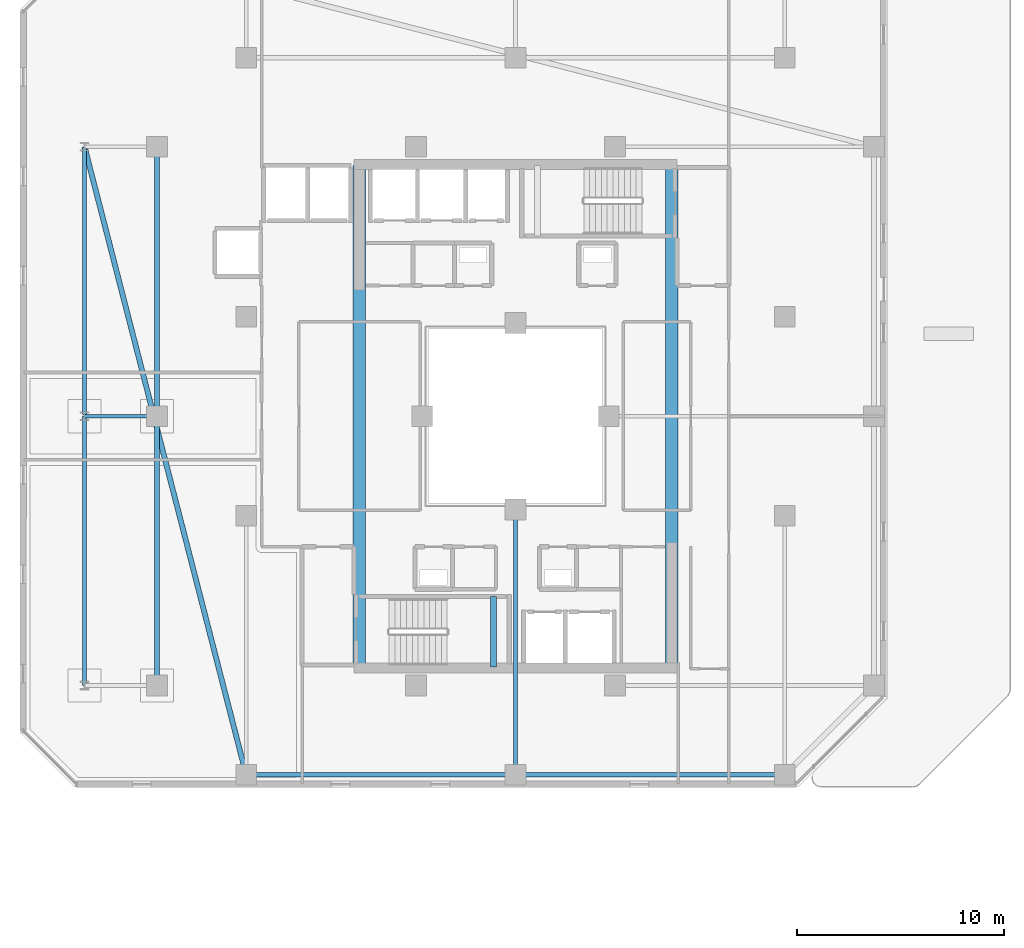
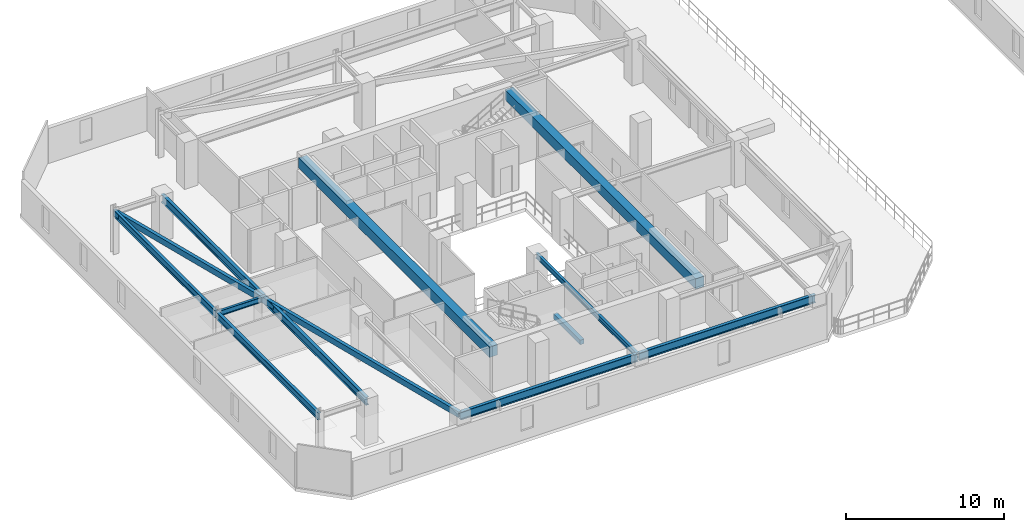
# One storey, part 4 of 32: 12 beams.
"""IFC4 building model written with IfcOpenShell, lengths in metres."""

from ifc_helpers import new_model, si_unit, direction, frame, origin, origin_2d, place, context, subcontext, project, spatial, rectangle, hollow_rectangle, i_section, extrude, material, material_profile, profile_set, type_object, element, save


model = new_model("IFC4")

# Units and contexts
model_context = context("Model", 3, precision=1e-05, world=origin(), true_north=direction((0.0, 1.0)))
body_context = subcontext(model_context, "Body", "Model", "MODEL_VIEW")
ifc_project = project(units=[si_unit("LENGTHUNIT", "METRE"), si_unit("AREAUNIT", "SQUARE_METRE"), si_unit("VOLUMEUNIT", "CUBIC_METRE"), si_unit("PLANEANGLEUNIT", "RADIAN"), si_unit("MASSUNIT", "GRAM", prefix="KILO")], contexts=[model_context])

# Site, building, storey
site_placement = place(None, origin())
site = spatial("IfcSite", under=ifc_project, at=site_placement, CompositionType="ELEMENT")
building_placement = place(site_placement, origin())
building = spatial("IfcBuilding", under=site, at=building_placement, Name="Thornwick Lancets Civic Towers", CompositionType="ELEMENT")
storey_placement = place(building_placement, frame((0.0, 0.0, 200.10009765625)))
storey = spatial("IfcBuildingStorey", under=building, at=storey_placement, Name="L53", CompositionType="ELEMENT", Elevation=200.10009765625)

# Beams
ifc_material_1 = material(Name="Concrete C60/75", Category="concrete")
ifc_material_profile_1 = material_profile(ifc_material_1, rectangle(XDim=0.60009765625, YDim=0.800048828125, at=origin_2d()), Name="RC 600x800")
ifc_profile_set_1 = profile_set([ifc_material_profile_1], Name="Concrete C60/75")
beam_type_1 = type_object("IfcBeamType", Name="BM_COUP_RC800", PredefinedType="BEAM", material=ifc_profile_set_1)
for number, where, z_axis, x_axis, name in (
    (1, (33.050048828125, 14.89990234375, 2.93994140625), (0.0, 1.0, 0.0), (-1.0, 0.0, 0.0), "CB-L53-A1"),
    (2, (17.949951171875, 14.89990234375, 2.93994140625), (0.0, 1.0, 0.0), (-1.0, 0.0, 0.0), "CB-L53-A2"),
):
    element("IfcBeam", number, at=place(storey_placement, frame(where, z_axis=z_axis, x_axis=x_axis)), inside=storey, type_object=beam_type_1, Name=name, PredefinedType="BEAM", context=body_context, shape_type="SweptSolid", body=[
        extrude(rectangle(XDim=0.60009765625, YDim=0.800048828125, at=origin_2d()), origin(), (0.0, 0.0, 1.0), 24.2001953125),
    ])
ifc_material_2 = material(Name="Steel S355JR", Category="steel")
ifc_material_profile_2 = material_profile(ifc_material_2, i_section(OverallWidth=0.210693359375, OverallDepth=0.53955078125, WebThickness=0.01171875, FlangeThickness=0.018798828125, FilletRadius=0.0126953125, at=origin_2d()), Name="UKB 533x210x109")
ifc_profile_set_2 = profile_set([ifc_material_profile_2], Name="Steel S355JR")
beam_type_2 = type_object("IfcBeamType", Name="BM_EDGE_533_109", PredefinedType="SPANDREL", material=ifc_profile_set_2)
beam_1_placement = place(storey_placement, frame((4.699951171875, 14.0, 3.0703125), z_axis=(0.0, 1.0, 0.0), x_axis=(-1.0, 0.0, 0.0)))
element("IfcBeam", 3, at=beam_1_placement, inside=storey, type_object=beam_type_2, Name="BM-EDGE-L53-A-S3-1", PredefinedType="SPANDREL", context=body_context, shape_type="SweptSolid", body=[
    extrude(i_section(OverallWidth=0.210693359375, OverallDepth=0.53955078125, WebThickness=0.01171875, FlangeThickness=0.018798828125, FilletRadius=0.0126953125, at=origin_2d()), origin(), (0.0, 0.0, 1.0), 13.0),
])
beam_2_placement = place(storey_placement, frame((4.699951171875, 27.080078125, 3.0703125), z_axis=(0.0, 1.0, 0.0), x_axis=(-1.0, 0.0, 0.0)))
element("IfcBeam", 4, at=beam_2_placement, inside=storey, type_object=beam_type_2, Name="BM-EDGE-L53-A-S3-2", PredefinedType="SPANDREL", context=body_context, shape_type="SweptSolid", body=[
    extrude(i_section(OverallWidth=0.210693359375, OverallDepth=0.53955078125, WebThickness=0.01171875, FlangeThickness=0.018798828125, FilletRadius=0.0126953125, at=origin_2d()), origin(), (0.0, 0.0, 1.0), 12.919921875),
])
ifc_material_profile_3 = material_profile(ifc_material_2, i_section(OverallWidth=0.230224609375, OverallDepth=0.6171875, WebThickness=0.01318359375, FlangeThickness=0.022216796875, FilletRadius=0.0126953125, at=origin_2d()), Name="UKB 610x229x140")
ifc_profile_set_3 = profile_set([ifc_material_profile_3], Name="Steel S355JR")
beam_type_3 = type_object("IfcBeamType", Name="BM_GIRD_610_140", PredefinedType="BEAM", material=ifc_profile_set_3)
beam_3_placement = place(storey_placement, frame((12.5, 9.699951171875, 3.03125), z_axis=(1.0, 0.0, 0.0), x_axis=(0.0, 1.0, 0.0)))
element("IfcBeam", 5, at=beam_3_placement, inside=storey, type_object=beam_type_3, Name="BM-SPINE-L53-A-0-1", PredefinedType="BEAM", context=body_context, shape_type="SweptSolid", body=[
    extrude(i_section(OverallWidth=0.230224609375, OverallDepth=0.6171875, WebThickness=0.01318359375, FlangeThickness=0.022216796875, FilletRadius=0.0126953125, at=origin_2d()), origin(), (0.0, 0.0, 1.0), 13.0),
])
beam_4_placement = place(storey_placement, frame((25.580078125, 9.699951171875, 3.03125), z_axis=(1.0, 0.0, 0.0), x_axis=(0.0, 1.0, 0.0)))
element("IfcBeam", 6, at=beam_4_placement, inside=storey, type_object=beam_type_3, Name="BM-SPINE-L53-A-1-2", PredefinedType="BEAM", context=body_context, shape_type="SweptSolid", body=[
    extrude(i_section(OverallWidth=0.230224609375, OverallDepth=0.6171875, WebThickness=0.01318359375, FlangeThickness=0.022216796875, FilletRadius=0.0126953125, at=origin_2d()), origin(), (0.0, 0.0, 1.0), 12.919921875),
])
beam_5_placement = place(storey_placement, frame((8.199951171875, 14.0, 3.03125), z_axis=(0.0, 1.0, 0.0), x_axis=(-1.0, 0.0, 0.0)))
element("IfcBeam", 7, at=beam_5_placement, inside=storey, type_object=beam_type_3, Name="BM-SPINE-L53-A-9-10", PredefinedType="BEAM", context=body_context, shape_type="SweptSolid", body=[
    extrude(i_section(OverallWidth=0.230224609375, OverallDepth=0.6171875, WebThickness=0.01318359375, FlangeThickness=0.022216796875, FilletRadius=0.0126953125, at=origin_2d()), origin(), (0.0, 0.0, 1.0), 13.0),
])
beam_6_placement = place(storey_placement, frame((8.199951171875, 27.080078125, 3.03125), z_axis=(0.0, 1.0, 0.0), x_axis=(-1.0, 0.0, 0.0)))
element("IfcBeam", 8, at=beam_6_placement, inside=storey, type_object=beam_type_3, Name="BM-SPINE-L53-A-10-11", PredefinedType="BEAM", context=body_context, shape_type="SweptSolid", body=[
    extrude(i_section(OverallWidth=0.230224609375, OverallDepth=0.6171875, WebThickness=0.01318359375, FlangeThickness=0.022216796875, FilletRadius=0.0126953125, at=origin_2d()), origin(), (0.0, 0.0, 1.0), 12.919921875),
])
ifc_material_profile_4 = material_profile(ifc_material_2, i_section(OverallWidth=0.179443359375, OverallDepth=0.412841796875, WebThickness=0.009521484375, FlangeThickness=0.01611328125, FilletRadius=0.01025390625, at=origin_2d()), Name="UKB 406x178x74")
ifc_profile_set_4 = profile_set([ifc_material_profile_4], Name="Steel S355JR")
beam_type_4 = type_object("IfcBeamType", Name="BM_JOIST_406_74", PredefinedType="JOIST", material=ifc_profile_set_4)
beam_7_placement = place(storey_placement, frame((25.5, 22.5, 3.133544921875), z_axis=(0.0, -1.0, 0.0), x_axis=(1.0, 0.0, 0.0)))
element("IfcBeam", 9, at=beam_7_placement, inside=storey, type_object=beam_type_4, Name="BM-RADIN-L53-A02", PredefinedType="JOIST", context=body_context, shape_type="SweptSolid", body=[
    extrude(i_section(OverallWidth=0.179443359375, OverallDepth=0.412841796875, WebThickness=0.009521484375, FlangeThickness=0.01611328125, FilletRadius=0.01025390625, at=origin_2d()), origin(), (0.0, 0.0, 1.0), 12.800048828125),
])
beam_8_placement = place(storey_placement, frame((8.199951171875, 27.0, 3.133544921875), z_axis=(-1.0, 0.0, 0.0), x_axis=(0.0, -1.0, 0.0)))
element("IfcBeam", 10, at=beam_8_placement, inside=storey, type_object=beam_type_4, Name="BM-RAD-L53-A11", PredefinedType="JOIST", context=body_context, shape_type="SweptSolid", body=[
    extrude(i_section(OverallWidth=0.179443359375, OverallDepth=0.412841796875, WebThickness=0.009521484375, FlangeThickness=0.01611328125, FilletRadius=0.01025390625, at=origin_2d()), origin(), (0.0, 0.0, 1.0), 3.5),
])
ifc_material_profile_5 = material_profile(ifc_material_2, hollow_rectangle(XDim=0.25, YDim=0.449951171875, WallThickness=0.01611328125, at=origin_2d()), Name="RHS 450x250x16")
ifc_profile_set_5 = profile_set([ifc_material_profile_5], Name="Steel S355JR")
beam_type_5 = type_object("IfcBeamType", Name="BM_RING_RHS450", PredefinedType="BEAM", material=ifc_profile_set_5)
beam_9_placement = place(storey_placement, frame((4.699951171875, 40.0, 3.114990234375), z_axis=(0.249299080716, -0.96842654257, 0.0), x_axis=(0.96842654257, 0.249299080716, 0.0)))
element("IfcBeam", 11, at=beam_9_placement, inside=storey, type_object=beam_type_5, Name="BM-CHAMF-L53-A-C3", PredefinedType="BEAM", context=body_context, shape_type="SweptSolid", body=[
    extrude(hollow_rectangle(XDim=0.25, YDim=0.449951171875, WallThickness=0.01611328125, at=origin_2d()), origin(), (0.0, 0.0, 1.0), 31.287841796875),
])
ifc_material_3 = material(Name="Concrete C40/50", Category="concrete")
ifc_material_profile_6 = material_profile(ifc_material_3, rectangle(XDim=0.300048828125, YDim=0.35009765625, at=origin_2d()), Name="RC 300x350")
ifc_profile_set_6 = profile_set([ifc_material_profile_6], Name="Concrete C40/50")
beam_type_6 = type_object("IfcBeamType", Name="BM_STAIR_LDG", PredefinedType="BEAM", material=ifc_profile_set_6)
beam_10_placement = place(storey_placement, frame((24.43505859375, 14.89990234375, 1.3779296875), z_axis=(0.0, 1.0, 0.0), x_axis=(-1.0, 0.0, 0.0)))
element("IfcBeam", 12, at=beam_10_placement, inside=storey, type_object=beam_type_6, Name="L53 ST-A1 Landing Support Beam 1", PredefinedType="BEAM", context=body_context, shape_type="SweptSolid", body=[
    extrude(rectangle(XDim=0.300048828125, YDim=0.35009765625, at=origin_2d()), origin(), (0.0, 0.0, 1.0), 3.400146484375),
])

save(model, "model.ifc")
